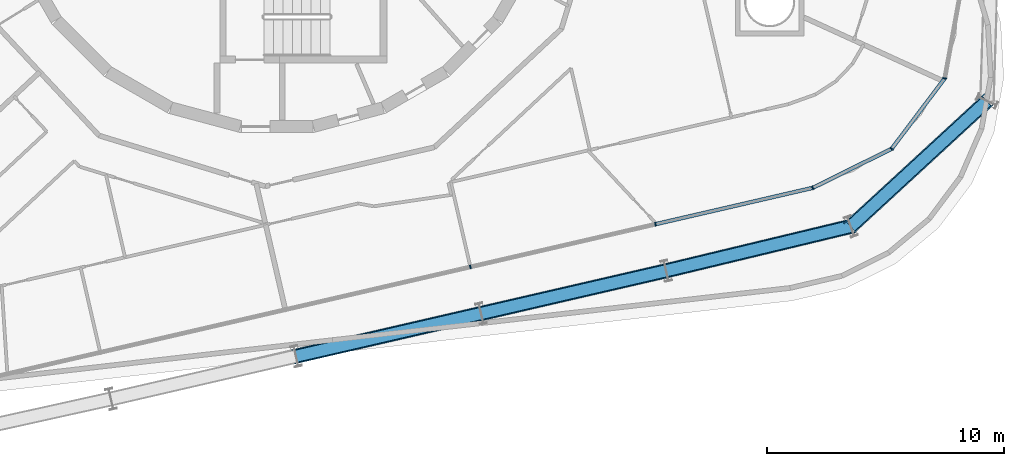
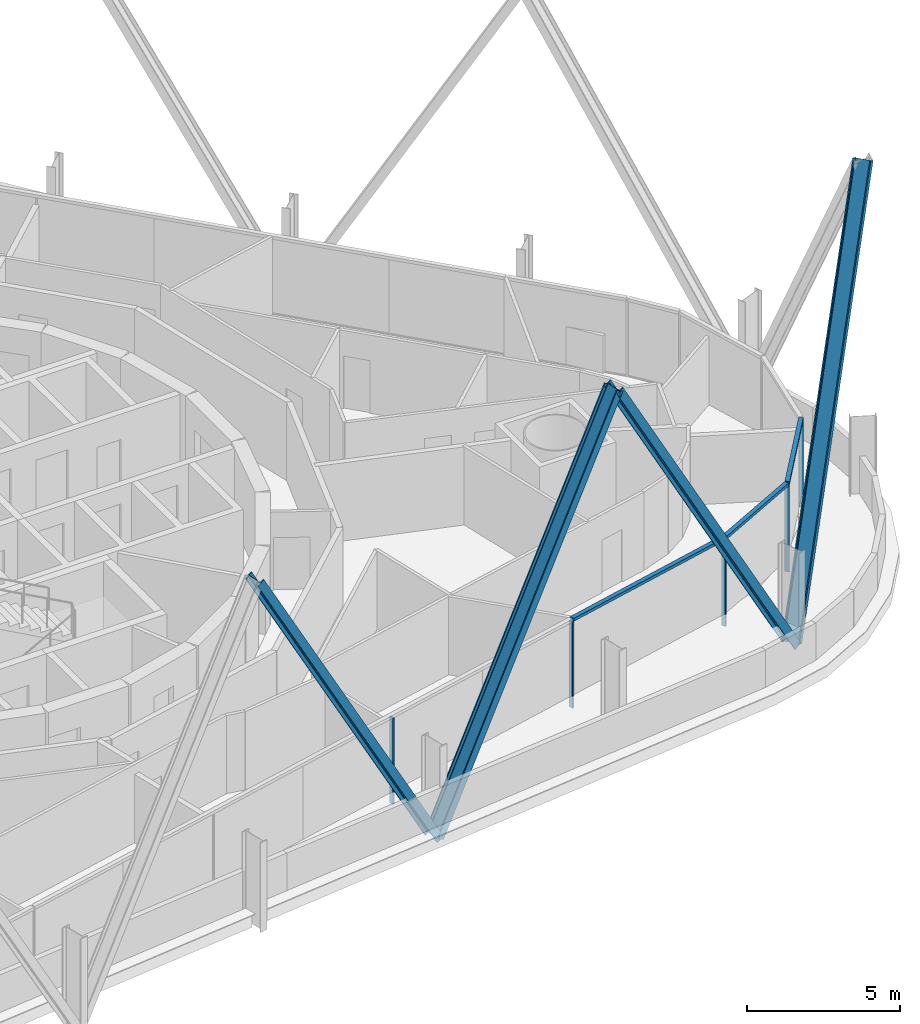
# One storey, part 6 of 18: 12 members, 2 elements without a shape of their own.
"""IFC4 building model written with IfcOpenShell, lengths in metres."""

from ifc_helpers import new_model, si_unit, direction, frame, origin, origin_2d, place, context, subcontext, project, spatial, rectangle, i_section, extrude, material, layer, layer_set, material_profile, profile_set, type_object, element, aggregate, save


model = new_model("IFC4")

# Units and contexts
model_context = context("Model", 3, precision=1e-05, world=origin(), true_north=direction((0.0, 1.0)))
body_context = subcontext(model_context, "Body", "Model", "MODEL_VIEW")
ifc_project = project(units=[si_unit("LENGTHUNIT", "METRE"), si_unit("AREAUNIT", "SQUARE_METRE"), si_unit("VOLUMEUNIT", "CUBIC_METRE"), si_unit("PLANEANGLEUNIT", "RADIAN"), si_unit("MASSUNIT", "GRAM", prefix="KILO")], contexts=[model_context])

# Site, building, storey
site_placement = place(None, origin())
site = spatial("IfcSite", under=ifc_project, at=site_placement, CompositionType="ELEMENT")
building_placement = place(site_placement, origin())
building = spatial("IfcBuilding", under=site, at=building_placement, Name="Spindle Arch Residences", CompositionType="ELEMENT")
storey_placement = place(building_placement, frame((0.0, 0.0, 113.39990234375)))
storey = spatial("IfcBuildingStorey", under=building, at=storey_placement, Name="L27", CompositionType="ELEMENT", Elevation=113.39990234375)

# Curtain wall, members
ifc_material_1 = material(Name="Aluminium bronze unitised frame with tinted glass", Category="aluminium")
ifc_layer_1 = layer(ifc_material_1, 0.159912109375)
ifc_layer_set_1 = layer_set([ifc_layer_1], Name="CW-D corner wall on the fillet arcs")
curtain_wall_type_1 = type_object("IfcCurtainWallType", Name="CW-D corner wall on the fillet arcs", PredefinedType="NOTDEFINED", material=ifc_layer_set_1)
curtain_wall_1_placement = place(storey_placement, origin())
curtain_wall_1 = element("IfcCurtainWall", 1, at=curtain_wall_1_placement, inside=storey, type_object=curtain_wall_type_1, Name="CW-D L27 run 1", PredefinedType="NOTDEFINED")
ifc_material_2 = material(Name="Aluminium bronze anodised mullion", Category="aluminium")
ifc_material_profile_1 = material_profile(ifc_material_2, rectangle(XDim=0.159912109375, YDim=0.06005859375, at=origin_2d()), Name="MU 60x160")
ifc_profile_set_1 = profile_set([ifc_material_profile_1], Name="Aluminium bronze anodised mullion")
member_type_1 = type_object("IfcMemberType", Name="Bronze mullion 60x160", PredefinedType="MULLION", material=ifc_profile_set_1)
member_1_placement = place(storey_placement, frame((16.002685546875, -15.775390625, -0.449951171875), z_axis=(0.0, 0.0, 1.0), x_axis=(-0.224951054344, 0.974370064785, 0.0)))
member_1 = element("IfcMember", 2, at=member_1_placement, type_object=member_type_1, Name="CW-D mullion 00", PredefinedType="MULLION", context=body_context, shape_type="SweptSolid", body=[
    extrude(rectangle(XDim=0.159912109375, YDim=0.06005859375, at=origin_2d()), origin(), (0.0, 0.0, 1.0), 3.449951171875),
])
member_2_placement = place(storey_placement, frame((22.647705078125, -14.2412109375, -0.449951171875), z_axis=(0.0, 0.0, 1.0), x_axis=(-0.443592675931, 0.896228507614, 0.0)))
member_2 = element("IfcMember", 3, at=member_2_placement, type_object=member_type_1, Name="CW-D mullion 01", PredefinedType="MULLION", context=body_context, shape_type="SweptSolid", body=[
    extrude(rectangle(XDim=0.159912109375, YDim=0.06005859375, at=origin_2d()), origin(), (0.0, 0.0, 1.0), 3.449951171875),
])
member_3_placement = place(storey_placement, frame((25.987548828125, -12.588134765625, -0.449951171875), z_axis=(0.0, 0.0, 1.0), x_axis=(-0.798635511056, 0.601815021814, 0.0)))
member_3 = element("IfcMember", 4, at=member_3_placement, type_object=member_type_1, Name="CW-D mullion 02", PredefinedType="MULLION", context=body_context, shape_type="SweptSolid", body=[
    extrude(rectangle(XDim=0.159912109375, YDim=0.06005859375, at=origin_2d()), origin(), (0.0, 0.0, 1.0), 3.449951171875),
])
member_4_placement = place(storey_placement, frame((28.23046875, -9.61181640625, -0.449951171875), z_axis=(0.0, 0.0, 1.0), x_axis=(-0.983780848179, 0.17937458782, 0.0)))
member_4 = element("IfcMember", 5, at=member_4_placement, type_object=member_type_1, Name="CW-D mullion 03", PredefinedType="MULLION", context=body_context, shape_type="SweptSolid", body=[
    extrude(rectangle(XDim=0.159912109375, YDim=0.06005859375, at=origin_2d()), origin(), (0.0, 0.0, 1.0), 3.449951171875),
])

# Curtain wall, member
ifc_material_3 = material(Name="Aluminium bronze unitised frame with tinted glass", Category="aluminium")
ifc_layer_2 = layer(ifc_material_3, 0.159912109375)
ifc_layer_set_2 = layer_set([ifc_layer_2], Name="CW-C typical residential unitised wall")
curtain_wall_type_2 = type_object("IfcCurtainWallType", Name="CW-C typical residential unitised wall", PredefinedType="NOTDEFINED", material=ifc_layer_set_2)
curtain_wall_2_placement = place(storey_placement, origin())
curtain_wall_2 = element("IfcCurtainWall", 6, at=curtain_wall_2_placement, inside=storey, type_object=curtain_wall_type_2, Name="CW-C L27 run 6", PredefinedType="NOTDEFINED")
member_5_placement = place(storey_placement, frame((8.17919921875, -17.58154296875, -0.449951171875), z_axis=(0.0, 0.0, 1.0), x_axis=(-0.224951054344, 0.974370064785, 0.0)))
member_5 = element("IfcMember", 7, at=member_5_placement, type_object=member_type_1, Name="CW-C mullion 00", PredefinedType="MULLION", context=body_context, shape_type="SweptSolid", body=[
    extrude(rectangle(XDim=0.159912109375, YDim=0.06005859375, at=origin_2d()), origin(), (0.0, 0.0, 1.0), 3.449951171875),
])
aggregate(curtain_wall_2, [member_5])

# Member
ifc_material_4 = material(Name="Aluminium bronze anodised transom", Category="aluminium")
ifc_material_profile_2 = material_profile(ifc_material_4, rectangle(XDim=0.159912109375, YDim=0.1201171875, at=origin_2d()), Name="TR 120x160")
ifc_profile_set_2 = profile_set([ifc_material_profile_2], Name="Aluminium bronze anodised transom")
member_type_2 = type_object("IfcMemberType", Name="Bronze transom 120x160", PredefinedType="USERDEFINED", material=ifc_profile_set_2)
member_6_placement = place(storey_placement, frame((16.03173828125, -15.7685546875, 3.06005859375), z_axis=(0.974374758263, 0.224930723691, 0.0), x_axis=(-0.224930723691, 0.974374758263, 0.0)))
member_6 = element("IfcMember", 8, at=member_6_placement, type_object=member_type_2, Name="CW-D transom 00", ObjectType="TRANSOM", PredefinedType="USERDEFINED", context=body_context, shape_type="SweptSolid", body=[
    extrude(rectangle(XDim=0.159912109375, YDim=0.1201171875, at=origin_2d()), origin(), (0.0, 0.0, 1.0), 6.760009765625),
])

member_7_placement = place(storey_placement, frame((22.674560546875, -14.22802734375, 3.06005859375), z_axis=(0.896204490037, 0.443641197408, 0.0), x_axis=(-0.443641197408, 0.896204490037, 0.0)))
member_7 = element("IfcMember", 9, at=member_7_placement, type_object=member_type_2, Name="CW-D transom 01", ObjectType="TRANSOM", PredefinedType="USERDEFINED", context=body_context, shape_type="SweptSolid", body=[
    extrude(rectangle(XDim=0.159912109375, YDim=0.1201171875, at=origin_2d()), origin(), (0.0, 0.0, 1.0), 3.666748046875),
])

member_8_placement = place(storey_placement, frame((26.005615234375, -12.564208984375, 3.06005859375), z_axis=(0.601820083797, 0.798631696553, 0.0), x_axis=(-0.798631696553, 0.601820083797, 0.0)))
member_8 = element("IfcMember", 10, at=member_8_placement, type_object=member_type_2, Name="CW-D transom 02", ObjectType="TRANSOM", PredefinedType="USERDEFINED", context=body_context, shape_type="SweptSolid", body=[
    extrude(rectangle(XDim=0.159912109375, YDim=0.1201171875, at=origin_2d()), origin(), (0.0, 0.0, 1.0), 3.666748046875),
])

aggregate(curtain_wall_1, [member_1, member_6, member_2, member_7, member_3, member_8, member_4])

# Members
ifc_material_5 = material(Name="Steel S460ML, intumescent coating R 240", Category="steel")
ifc_material_profile_3 = material_profile(ifc_material_5, i_section(OverallWidth=0.304931640625, OverallDepth=0.6201171875, WebThickness=0.02099609375, FlangeThickness=0.0400390625, FilletRadius=0.027099609375, at=origin_2d()), Name="HEM 600")
ifc_profile_set_3 = profile_set([ifc_material_profile_3], Name="Steel S460ML, intumescent coating R 240")
member_type_3 = type_object("IfcMemberType", Name="Diagrid diagonal HEM 600", PredefinedType="BRACE", material=ifc_profile_set_3)
member_9_placement = place(storey_placement, frame((8.633544921875, -19.5498046875, -0.699951171875), z_axis=(0.482934982795, 0.111491746067, 0.868529442766), x_axis=(-0.846270080295, -0.195372321861, 0.495637576308)))
element("IfcMember", 11, at=member_9_placement, inside=storey, type_object=member_type_3, Name="Diagrid diagonal 3.1.1", PredefinedType="BRACE", context=body_context, shape_type="SweptSolid", body=[
    extrude(i_section(OverallWidth=0.304931640625, OverallDepth=0.6201171875, WebThickness=0.02099609375, FlangeThickness=0.0400390625, FilletRadius=0.027099609375, at=origin_2d()), origin(), (0.0, 0.0, 1.0), 16.199951171875),
])
member_10_placement = place(storey_placement, frame((24.26123046875, -15.86767578125, -0.699951171875), z_axis=(-0.481785086615, -0.115811693848, 0.868602775659), x_axis=(0.844545349765, 0.203012152524, 0.49550904948)))
element("IfcMember", 12, at=member_10_placement, inside=storey, type_object=member_type_3, Name="Diagrid diagonal 3.1.2", PredefinedType="BRACE", context=body_context, shape_type="SweptSolid", body=[
    extrude(i_section(OverallWidth=0.304931640625, OverallDepth=0.6201171875, WebThickness=0.02099609375, FlangeThickness=0.0400390625, FilletRadius=0.027099609375, at=origin_2d()), origin(), (0.0, 0.0, 1.0), 16.198486328125),
])
member_11_placement = place(storey_placement, frame((24.26123046875, -15.86767578125, -0.699951171875), z_axis=(0.357377275217, 0.32903037001, 0.874082661291), x_axis=(-0.643046382325, -0.592040411584, 0.485777213577)))
element("IfcMember", 13, at=member_11_placement, inside=storey, type_object=member_type_3, Name="Diagrid diagonal 3.1.3", PredefinedType="BRACE", context=body_context, shape_type="SweptSolid", body=[
    extrude(i_section(OverallWidth=0.304931640625, OverallDepth=0.6201171875, WebThickness=0.02099609375, FlangeThickness=0.0400390625, FilletRadius=0.027099609375, at=origin_2d()), origin(), (0.0, 0.0, 1.0), 16.096923828125),
])
member_12_placement = place(storey_placement, frame((8.633544921875, -19.5498046875, -0.699951171875), z_axis=(-0.482923426985, -0.111492557509, 0.868535763967), x_axis=(0.846274903116, 0.195379532307, 0.495626499201)))
element("IfcMember", 14, at=member_12_placement, inside=storey, type_object=member_type_3, Name="Diagrid diagonal 3.1.22", PredefinedType="BRACE", context=body_context, shape_type="SweptSolid", body=[
    extrude(i_section(OverallWidth=0.304931640625, OverallDepth=0.6201171875, WebThickness=0.02099609375, FlangeThickness=0.0400390625, FilletRadius=0.027099609375, at=origin_2d()), origin(), (0.0, 0.0, 1.0), 16.19970703125),
])

save(model, "model.ifc")
